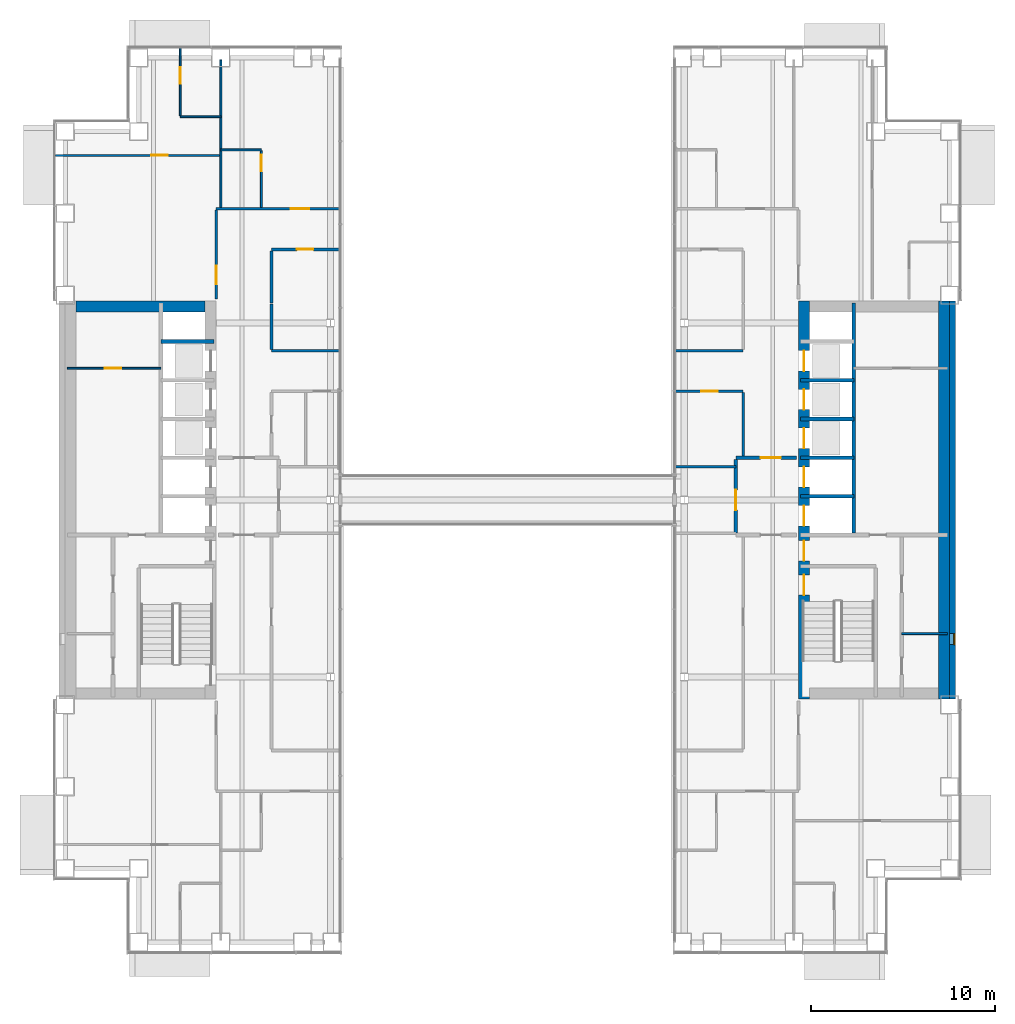
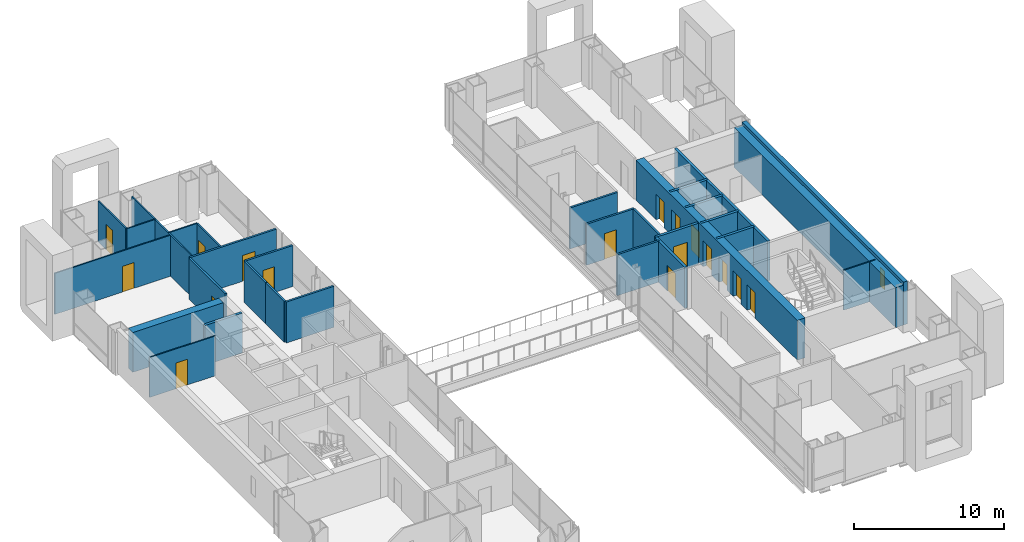
# One storey, part 16 of 21: 30 walls, 17 doors, 1 window, 18 openings.
"""IFC4 building model written with IfcOpenShell, lengths in metres."""

from ifc_helpers import new_model, si_unit, direction, frame, frame_2d, origin, place, context, subcontext, project, spatial, rectangle, extrude, material, layer, layer_set, type_object, element, fill, save


model = new_model("IFC4")

# Units and contexts
model_context = context("Model", 3, precision=1e-05, world=origin(), true_north=direction((0.0, 1.0)))
body_context = subcontext(model_context, "Body", "Model", "MODEL_VIEW")
ifc_project = project(units=[si_unit("LENGTHUNIT", "METRE"), si_unit("AREAUNIT", "SQUARE_METRE"), si_unit("VOLUMEUNIT", "CUBIC_METRE"), si_unit("PLANEANGLEUNIT", "RADIAN"), si_unit("MASSUNIT", "GRAM", prefix="KILO")], contexts=[model_context])

# Site, building, storey
site_placement = place(None, origin())
site = spatial("IfcSite", under=ifc_project, at=site_placement, CompositionType="ELEMENT")
building_placement = place(site_placement, origin())
building = spatial("IfcBuilding", under=site, at=building_placement, Name="Cobrizo Arcos Hotel Tower", CompositionType="ELEMENT")
storey_placement = place(building_placement, frame((0.0, 0.0, 74.0)))
storey = spatial("IfcBuildingStorey", under=building, at=storey_placement, Name="L17", CompositionType="ELEMENT", Elevation=74.0)

# Wall
ifc_material_1 = material(Name="Gypsum board partition")
ifc_layer_1 = layer(ifc_material_1, 0.14990234375)
ifc_layer_set_1 = layer_set([ifc_layer_1], Name="Corridor wall EI 60 150")
wall_type_1 = type_object("IfcWallType", Name="Corridor wall EI 60 150", PredefinedType="PARTITIONING", material=ifc_layer_set_1)
wall_1_placement = place(storey_placement, frame((9.1201171875, 1.800048828125, 0.0), z_axis=(0.0, 0.0, 1.0), x_axis=(1.0, 0.0, 0.0)))
element("IfcWall", 1, at=wall_1_placement, inside=storey, type_object=wall_type_1, Name="Partition 024", PredefinedType="PARTITIONING", context=body_context, shape_type="SweptSolid", body=[
    extrude(rectangle(XDim=3.27978515625, YDim=0.14990234375, at=frame_2d((1.639892578125, 0.0))), origin(), (0.0, 0.0, 1.0), 3.35009765625),
])

# Wall, opening, door
wall_2_placement = place(storey_placement, frame((9.1201171875, 5.89990234375, 0.0), z_axis=(0.0, 0.0, 1.0), x_axis=(1.0, 0.0, 0.0)))
wall_2 = element("IfcWall", 2, at=wall_2_placement, inside=storey, type_object=wall_type_1, Name="Partition 032", PredefinedType="PARTITIONING", context=body_context, shape_type="SweptSolid", body=[
    extrude(rectangle(XDim=3.679931640625, YDim=0.14990234375, at=frame_2d((1.83984375, 0.0))), origin(), (0.0, 0.0, 1.0), 3.35009765625),
])
opening_1_placement = place(wall_2_placement, frame((1.405029296875, 0.0, 0.0)))
opening_1 = element("IfcOpeningElement", 3, at=opening_1_placement, cuts=wall_2, Name="Opening RD-13", PredefinedType="OPENING", context=body_context, shape_type="SweptSolid", body=[
    extrude(rectangle(XDim=0.89990234375, YDim=2.10009765625, at=frame_2d((0.449951171875, 1.050048828125))), frame((0.0, 0.0869140625, 0.0), z_axis=(0.0, -1.0, 0.0), x_axis=(1.0, 0.0, 0.0)), (0.0, 0.0, 1.0), 0.173828125),
])
ifc_material_2 = material(Name="Timber door leaf", Category="wood")
door_type_1 = type_object("IfcDoorType", Name="Room door FD30 900x2100", OperationType="SINGLE_SWING_LEFT", PredefinedType="DOOR", material=ifc_material_2)
door_1_placement = place(opening_1_placement, origin())
door_1 = element("IfcDoor", 4, at=door_1_placement, inside=storey, type_object=door_type_1, Name="Door RD-13", OperationType="SINGLE_SWING_LEFT", OverallHeight=2.10009765625, OverallWidth=0.89990234375, PredefinedType="DOOR", context=body_context, shape_type="SweptSolid", body=[
    extrude(rectangle(XDim=0.89990234375, YDim=2.10009765625, at=frame_2d((0.449951171875, 1.050048828125))), frame((0.0, 0.02490234375, 0.0), z_axis=(0.0, -1.0, 0.0), x_axis=(1.0, 0.0, 0.0)), (0.0, 0.0, 1.0), 0.050048828125),
])
fill(opening_1, door_1)

# Walls
for number, where, z_axis, x_axis, name in (
    (5, (-12.800048828125, 8.10009765625, 0.0), (0.0, 0.0, 1.0), (1.0, 0.0, 0.0), "Partition 037"),
    (6, (9.1201171875, 8.10009765625, 0.0), (0.0, 0.0, 1.0), (1.0, 0.0, 0.0), "Partition 038"),
):
    element("IfcWall", number, at=place(storey_placement, frame(where, z_axis=z_axis, x_axis=x_axis)), inside=storey, type_object=wall_type_1, Name=name, PredefinedType="PARTITIONING", context=body_context, shape_type="SweptSolid", body=[
        extrude(rectangle(XDim=3.679931640625, YDim=0.14990234375, at=frame_2d((1.83984375, 0.0))), origin(), (0.0, 0.0, 1.0), 3.35009765625),
    ])

# Wall, opening, door
wall_3_placement = place(storey_placement, frame((-12.800048828125, 13.60009765625, 0.0), z_axis=(0.0, 0.0, 1.0), x_axis=(1.0, 0.0, 0.0)))
wall_3 = element("IfcWall", 7, at=wall_3_placement, inside=storey, type_object=wall_type_1, Name="Partition 041", PredefinedType="PARTITIONING", context=body_context, shape_type="SweptSolid", body=[
    extrude(rectangle(XDim=3.679931640625, YDim=0.14990234375, at=frame_2d((1.83984375, 0.0))), origin(), (0.0, 0.0, 1.0), 3.35009765625),
])
opening_2_placement = place(wall_3_placement, frame((1.375, 0.0, 0.0)))
opening_2 = element("IfcOpeningElement", 8, at=opening_2_placement, cuts=wall_3, Name="Opening RD-15", PredefinedType="OPENING", context=body_context, shape_type="SweptSolid", body=[
    extrude(rectangle(XDim=0.89990234375, YDim=2.10009765625, at=frame_2d((0.449951171875, 1.050048828125))), frame((0.0, 0.0869140625, 0.0), z_axis=(0.0, -1.0, 0.0), x_axis=(1.0, 0.0, 0.0)), (0.0, 0.0, 1.0), 0.173828125),
])
door_2_placement = place(opening_2_placement, origin())
door_2 = element("IfcDoor", 9, at=door_2_placement, inside=storey, type_object=door_type_1, Name="Door RD-15", OperationType="SINGLE_SWING_RIGHT", OverallHeight=2.10009765625, OverallWidth=0.89990234375, PredefinedType="DOOR", context=body_context, shape_type="SweptSolid", body=[
    extrude(rectangle(XDim=0.89990234375, YDim=2.10009765625, at=frame_2d((0.449951171875, 1.050048828125))), frame((0.0, 0.02490234375, 0.0), z_axis=(0.0, -1.0, 0.0), x_axis=(1.0, 0.0, 0.0)), (0.0, 0.0, 1.0), 0.050048828125),
])
fill(opening_2, door_2)

wall_4_placement = place(storey_placement, frame((-15.800048828125, 15.800048828125, 0.0), z_axis=(0.0, 0.0, 1.0), x_axis=(1.0, 0.0, 0.0)))
wall_4 = element("IfcWall", 10, at=wall_4_placement, inside=storey, type_object=wall_type_1, Name="Partition 044", PredefinedType="PARTITIONING", context=body_context, shape_type="SweptSolid", body=[
    extrude(rectangle(XDim=6.679931640625, YDim=0.14990234375, at=frame_2d((3.33984375, 0.0))), origin(), (0.0, 0.0, 1.0), 3.35009765625),
])
opening_3_placement = place(wall_4_placement, frame((4.047119140625, 0.0, 0.0)))
opening_3 = element("IfcOpeningElement", 11, at=opening_3_placement, cuts=wall_4, Name="Opening GD-02", PredefinedType="OPENING", context=body_context, shape_type="SweptSolid", body=[
    extrude(rectangle(XDim=1.0, YDim=2.10009765625, at=frame_2d((0.5, 1.050048828125))), frame((0.0, 0.0869140625, 0.0), z_axis=(0.0, -1.0, 0.0), x_axis=(1.0, 0.0, 0.0)), (0.0, 0.0, 1.0), 0.173828125),
])
door_type_2 = type_object("IfcDoorType", Name="Guest room door FD30S 1000x2100", OperationType="SINGLE_SWING_LEFT", PredefinedType="DOOR", material=ifc_material_2)
door_3_placement = place(opening_3_placement, origin())
door_3 = element("IfcDoor", 12, at=door_3_placement, inside=storey, type_object=door_type_2, Name="Door GD-02", OperationType="SINGLE_SWING_LEFT", OverallHeight=2.10009765625, OverallWidth=1.0, PredefinedType="DOOR", context=body_context, shape_type="SweptSolid", body=[
    extrude(rectangle(XDim=1.0, YDim=2.10009765625, at=frame_2d((0.5, 1.050048828125))), frame((0.0, 0.02490234375, 0.0), z_axis=(0.0, -1.0, 0.0), x_axis=(1.0, 0.0, 0.0)), (0.0, 0.0, 1.0), 0.050048828125),
])
fill(opening_3, door_3)

wall_5_placement = place(storey_placement, frame((-15.800048828125, 10.919921875, 0.0), z_axis=(0.0, 0.0, 1.0), x_axis=(0.0, 1.0, 0.0)))
wall_5 = element("IfcWall", 13, at=wall_5_placement, inside=storey, type_object=wall_type_1, Name="Partition 056", PredefinedType="PARTITIONING", context=body_context, shape_type="SweptSolid", body=[
    extrude(rectangle(XDim=4.80517578125, YDim=0.14990234375, at=frame_2d((2.402587890625, 0.0))), origin(), (0.0, 0.0, 1.0), 3.35009765625),
])
opening_4_placement = place(wall_5_placement, frame((0.780029296875, 0.0, 0.0)))
opening_4 = element("IfcOpeningElement", 14, at=opening_4_placement, cuts=wall_5, Name="Opening GD-06", PredefinedType="OPENING", context=body_context, shape_type="SweptSolid", body=[
    extrude(rectangle(XDim=1.0, YDim=2.10009765625, at=frame_2d((0.5, 1.050048828125))), frame((0.0, 0.0869140625, 0.0), z_axis=(0.0, -1.0, 0.0), x_axis=(1.0, 0.0, 0.0)), (0.0, 0.0, 1.0), 0.173828125),
])
door_4_placement = place(opening_4_placement, origin())
door_4 = element("IfcDoor", 15, at=door_4_placement, inside=storey, type_object=door_type_2, Name="Door GD-06", OperationType="SINGLE_SWING_LEFT", OverallHeight=2.10009765625, OverallWidth=1.0, PredefinedType="DOOR", context=body_context, shape_type="SweptSolid", body=[
    extrude(rectangle(XDim=1.0, YDim=2.10009765625, at=frame_2d((0.5, 1.050048828125))), frame((0.0, 0.02490234375, 0.0), z_axis=(0.0, -1.0, 0.0), x_axis=(1.0, 0.0, 0.0)), (0.0, 0.0, 1.0), 0.050048828125),
])
fill(opening_4, door_4)

# Walls
wall_6_placement = place(storey_placement, frame((-12.800048828125, 8.175048828125, 0.0), z_axis=(0.0, 0.0, 1.0), x_axis=(0.0, 1.0, 0.0)))
element("IfcWall", 16, at=wall_6_placement, inside=storey, type_object=wall_type_1, Name="Partition 063", PredefinedType="PARTITIONING", context=body_context, shape_type="SweptSolid", body=[
    extrude(rectangle(XDim=2.474853515625, YDim=0.14990234375, at=frame_2d((1.2373046875, 0.0))), origin(), (0.0, 0.0, 1.0), 3.35009765625),
])
wall_7_placement = place(storey_placement, frame((-12.800048828125, 10.699951171875, 0.0), z_axis=(0.0, 0.0, 1.0), x_axis=(0.0, 1.0, 0.0)))
element("IfcWall", 17, at=wall_7_placement, inside=storey, type_object=wall_type_1, Name="Partition 064", PredefinedType="PARTITIONING", context=body_context, shape_type="SweptSolid", body=[
    extrude(rectangle(XDim=2.824951171875, YDim=0.14990234375, at=frame_2d((1.41259765625, 0.0))), origin(), (0.0, 0.0, 1.0), 3.35009765625),
])
wall_8_placement = place(storey_placement, frame((12.800048828125, 2.39990234375, 0.0), z_axis=(0.0, 0.0, 1.0), x_axis=(0.0, 1.0, 0.0)))
element("IfcWall", 18, at=wall_8_placement, inside=storey, type_object=wall_type_1, Name="Partition 074", PredefinedType="PARTITIONING", context=body_context, shape_type="SweptSolid", body=[
    extrude(rectangle(XDim=3.425048828125, YDim=0.14990234375, at=frame_2d((1.71240234375, 0.0))), origin(), (0.0, 0.0, 1.0), 3.35009765625),
])

# Wall, opening, window
ifc_material_3 = material(Name="Aluminium composite panel pale metal", Category="aluminium")
ifc_layer_2 = layer(ifc_material_3, 0.324951171875)
ifc_layer_set_2 = layer_set([ifc_layer_2], Name="EW-1 insulated panel wall 325")
wall_type_2 = type_object("IfcWallType", Name="EW-1 insulated panel wall 325", PredefinedType="SOLIDWALL", material=ifc_layer_set_2)
wall_9_placement = place(storey_placement, frame((24.16259765625, -10.800048828125, 0.0), z_axis=(0.0, 0.0, 1.0), x_axis=(0.0, 1.0, 0.0)))
wall_9 = element("IfcWall", 19, at=wall_9_placement, inside=storey, type_object=wall_type_2, Name="Core face wall L17 E", PredefinedType="SOLIDWALL", context=body_context, shape_type="SweptSolid", body=[
    extrude(rectangle(XDim=21.60009765625, YDim=0.324951171875, at=frame_2d((10.800048828125, 0.0))), origin(), (0.0, 0.0, 1.0), 3.5),
])
opening_5_placement = place(wall_9_placement, frame((2.949951171875, 0.0, 1.0)))
opening_5 = element("IfcOpeningElement", 20, at=opening_5_placement, cuts=wall_9, Name="Opening W-29", PredefinedType="OPENING", context=body_context, shape_type="SweptSolid", body=[
    extrude(rectangle(XDim=0.60009765625, YDim=1.5, at=frame_2d((0.300048828125, 0.75))), frame((0.0, 0.174560546875, 0.0), z_axis=(0.0, -1.0, 0.0), x_axis=(1.0, 0.0, 0.0)), (0.0, 0.0, 1.0), 0.348876953125),
])
ifc_material_4 = material(Name="Aluminium 6063-T6 and clear laminated glass", Category="aluminium")
window_type = type_object("IfcWindowType", Name="W-C1 core stair slot window 600x1500", PartitioningType="SINGLE_PANEL", PredefinedType="WINDOW", material=ifc_material_4)
window_placement = place(opening_5_placement, origin())
window = element("IfcWindow", 21, at=window_placement, inside=storey, type_object=window_type, Name="Core face wall L17 E window W-29", OverallHeight=1.5, OverallWidth=0.60009765625, PartitioningType="SINGLE_PANEL", PredefinedType="WINDOW", context=body_context, shape_type="SweptSolid", body=[
    extrude(rectangle(XDim=0.60009765625, YDim=1.5, at=frame_2d((0.300048828125, 0.75))), frame((0.0, -0.072509765625, 0.0), z_axis=(0.0, -1.0, 0.0), x_axis=(1.0, 0.0, 0.0)), (0.0, 0.0, 1.0), 0.06005859375),
])
fill(opening_5, window)

# Wall
ifc_layer_3 = layer(ifc_material_1, 0.10009765625)
ifc_layer_set_3 = layer_set([ifc_layer_3], Name="Partition EI 30 100")
wall_type_3 = type_object("IfcWallType", Name="Partition EI 30 100", PredefinedType="PARTITIONING", material=ifc_layer_set_3)
wall_10_placement = place(storey_placement, frame((21.39990234375, -7.25, 0.0), z_axis=(0.0, 0.0, 1.0), x_axis=(1.0, 0.0, 0.0)))
element("IfcWall", 22, at=wall_10_placement, inside=storey, type_object=wall_type_3, Name="Partition 012", PredefinedType="PARTITIONING", context=body_context, shape_type="SweptSolid", body=[
    extrude(rectangle(XDim=2.47998046875, YDim=0.10009765625, at=frame_2d((1.239990234375, 0.0))), origin(), (0.0, 0.0, 1.0), 3.25),
])

# Wall, opening, door
wall_11_placement = place(storey_placement, frame((-23.8798828125, 7.14990234375, 0.0), z_axis=(0.0, 0.0, 1.0), x_axis=(1.0, 0.0, 0.0)))
wall_11 = element("IfcWall", 23, at=wall_11_placement, inside=storey, type_object=wall_type_3, Name="Partition 035", PredefinedType="PARTITIONING", context=body_context, shape_type="SweptSolid", body=[
    extrude(rectangle(XDim=5.079833984375, YDim=0.10009765625, at=frame_2d((2.5400390625, 0.0))), origin(), (0.0, 0.0, 1.0), 3.25),
])
opening_6_placement = place(wall_11_placement, frame((2.030029296875, 0.0, 0.0)))
opening_6 = element("IfcOpeningElement", 24, at=opening_6_placement, cuts=wall_11, Name="Opening RD-04", PredefinedType="OPENING", context=body_context, shape_type="SweptSolid", body=[
    extrude(rectangle(XDim=0.89990234375, YDim=2.10009765625, at=frame_2d((0.449951171875, 1.050048828125))), frame((0.0, 0.06201171875, 0.0), z_axis=(0.0, -1.0, 0.0), x_axis=(1.0, 0.0, 0.0)), (0.0, 0.0, 1.0), 0.1240234375),
])
door_5_placement = place(opening_6_placement, origin())
door_5 = element("IfcDoor", 25, at=door_5_placement, inside=storey, type_object=door_type_1, Name="Door RD-04", OperationType="SINGLE_SWING_RIGHT", OverallHeight=2.10009765625, OverallWidth=0.89990234375, PredefinedType="DOOR", context=body_context, shape_type="SweptSolid", body=[
    extrude(rectangle(XDim=0.89990234375, YDim=2.10009765625, at=frame_2d((0.449951171875, 1.050048828125))), frame((0.0, 0.02490234375, 0.0), z_axis=(0.0, -1.0, 0.0), x_axis=(1.0, 0.0, 0.0)), (0.0, 0.0, 1.0), 0.050048828125),
])
fill(opening_6, door_5)

wall_12_placement = place(storey_placement, frame((-24.530029296875, 18.699951171875, 0.0), z_axis=(0.0, 0.0, 1.0), x_axis=(1.0, 0.0, 0.0)))
wall_12 = element("IfcWall", 26, at=wall_12_placement, inside=storey, type_object=wall_type_3, Name="Partition 046", PredefinedType="PARTITIONING", context=body_context, shape_type="SweptSolid", body=[
    extrude(rectangle(XDim=8.97998046875, YDim=0.10009765625, at=frame_2d((4.489990234375, 0.0))), origin(), (0.0, 0.0, 1.0), 3.35009765625),
])
opening_7_placement = place(wall_12_placement, frame((5.201904296875, 0.0, 0.0)))
opening_7 = element("IfcOpeningElement", 27, at=opening_7_placement, cuts=wall_12, Name="Opening RD-10", PredefinedType="OPENING", context=body_context, shape_type="SweptSolid", body=[
    extrude(rectangle(XDim=0.89990234375, YDim=2.10009765625, at=frame_2d((0.449951171875, 1.050048828125))), frame((0.0, 0.06201171875, 0.0), z_axis=(0.0, -1.0, 0.0), x_axis=(1.0, 0.0, 0.0)), (0.0, 0.0, 1.0), 0.1240234375),
])
door_6_placement = place(opening_7_placement, origin())
door_6 = element("IfcDoor", 28, at=door_6_placement, inside=storey, type_object=door_type_1, Name="Door RD-10", OperationType="SINGLE_SWING_LEFT", OverallHeight=2.10009765625, OverallWidth=0.89990234375, PredefinedType="DOOR", context=body_context, shape_type="SweptSolid", body=[
    extrude(rectangle(XDim=0.89990234375, YDim=2.10009765625, at=frame_2d((0.449951171875, 1.050048828125))), frame((0.0, 0.02490234375, 0.0), z_axis=(0.0, -1.0, 0.0), x_axis=(1.0, 0.0, 0.0)), (0.0, 0.0, 1.0), 0.050048828125),
])
fill(opening_7, door_6)

# Walls
for number, where, z_axis, x_axis, name in (
    (29, (-15.550048828125, 19.0, 0.0), (0.0, 0.0, 1.0), (1.0, 0.0, 0.0), "Partition 047"),
    (30, (-17.75, 20.800048828125, 0.0), (0.0, 0.0, 1.0), (1.0, 0.0, 0.0), "Partition 049"),
):
    element("IfcWall", number, at=place(storey_placement, frame(where, z_axis=z_axis, x_axis=x_axis)), inside=storey, type_object=wall_type_3, Name=name, PredefinedType="PARTITIONING", context=body_context, shape_type="SweptSolid", body=[
        extrude(rectangle(XDim=2.199951171875, YDim=0.10009765625, at=frame_2d((1.10009765625, 0.0))), origin(), (0.0, 0.0, 1.0), 3.35009765625),
    ])

# Wall, opening, door
wall_13_placement = place(storey_placement, frame((-17.75, 20.85009765625, 0.0), z_axis=(0.0, 0.0, 1.0), x_axis=(0.0, 1.0, 0.0)))
wall_13 = element("IfcWall", 31, at=wall_13_placement, inside=storey, type_object=wall_type_3, Name="Partition 054", PredefinedType="PARTITIONING", context=body_context, shape_type="SweptSolid", body=[
    extrude(rectangle(XDim=3.679931640625, YDim=0.10009765625, at=frame_2d((1.83984375, 0.0))), origin(), (0.0, 0.0, 1.0), 3.35009765625),
])
opening_8_placement = place(wall_13_placement, frame((1.739990234375, 0.0, 0.0)))
opening_8 = element("IfcOpeningElement", 32, at=opening_8_placement, cuts=wall_13, Name="Opening ED-06", PredefinedType="OPENING", context=body_context, shape_type="SweptSolid", body=[
    extrude(rectangle(XDim=0.89990234375, YDim=2.10009765625, at=frame_2d((0.449951171875, 1.050048828125))), frame((0.0, 0.06201171875, 0.0), z_axis=(0.0, -1.0, 0.0), x_axis=(1.0, 0.0, 0.0)), (0.0, 0.0, 1.0), 0.1240234375),
])
door_type_3 = type_object("IfcDoorType", Name="En-suite door 900x2100", OperationType="SINGLE_SWING_LEFT", PredefinedType="DOOR", material=ifc_material_2)
door_7_placement = place(opening_8_placement, origin())
door_7 = element("IfcDoor", 33, at=door_7_placement, inside=storey, type_object=door_type_3, Name="Door ED-06", OperationType="SINGLE_SWING_RIGHT", OverallHeight=2.10009765625, OverallWidth=0.89990234375, PredefinedType="DOOR", context=body_context, shape_type="SweptSolid", body=[
    extrude(rectangle(XDim=0.89990234375, YDim=2.10009765625, at=frame_2d((0.449951171875, 1.050048828125))), frame((0.0, 0.02490234375, 0.0), z_axis=(0.0, -1.0, 0.0), x_axis=(1.0, 0.0, 0.0)), (0.0, 0.0, 1.0), 0.050048828125),
])
fill(opening_8, door_7)

# Wall
wall_14_placement = place(storey_placement, frame((-15.550048828125, 15.875, 0.0), z_axis=(0.0, 0.0, 1.0), x_axis=(0.0, 1.0, 0.0)))
element("IfcWall", 34, at=wall_14_placement, inside=storey, type_object=wall_type_3, Name="Partition 058", PredefinedType="PARTITIONING", context=body_context, shape_type="SweptSolid", body=[
    extrude(rectangle(XDim=8.0048828125, YDim=0.10009765625, at=frame_2d((4.00244140625, 0.0))), origin(), (0.0, 0.0, 1.0), 3.35009765625),
])

# Wall, opening, door
wall_15_placement = place(storey_placement, frame((-13.35009765625, 15.875, 0.0), z_axis=(0.0, 0.0, 1.0), x_axis=(0.0, 1.0, 0.0)))
wall_15 = element("IfcWall", 35, at=wall_15_placement, inside=storey, type_object=wall_type_3, Name="Partition 060", PredefinedType="PARTITIONING", context=body_context, shape_type="SweptSolid", body=[
    extrude(rectangle(XDim=3.074951171875, YDim=0.10009765625, at=frame_2d((1.53759765625, 0.0))), origin(), (0.0, 0.0, 1.0), 3.35009765625),
])
opening_9_placement = place(wall_15_placement, frame((1.970947265625, 0.0, 0.0)))
opening_9 = element("IfcOpeningElement", 36, at=opening_9_placement, cuts=wall_15, Name="Opening ED-02", PredefinedType="OPENING", context=body_context, shape_type="SweptSolid", body=[
    extrude(rectangle(XDim=0.89990234375, YDim=2.10009765625, at=frame_2d((0.449951171875, 1.050048828125))), frame((0.0, 0.06201171875, 0.0), z_axis=(0.0, -1.0, 0.0), x_axis=(1.0, 0.0, 0.0)), (0.0, 0.0, 1.0), 0.1240234375),
])
door_8_placement = place(opening_9_placement, origin())
door_8 = element("IfcDoor", 37, at=door_8_placement, inside=storey, type_object=door_type_3, Name="Door ED-02", OperationType="SINGLE_SWING_RIGHT", OverallHeight=2.10009765625, OverallWidth=0.89990234375, PredefinedType="DOOR", context=body_context, shape_type="SweptSolid", body=[
    extrude(rectangle(XDim=0.89990234375, YDim=2.10009765625, at=frame_2d((0.449951171875, 1.050048828125))), frame((0.0, 0.02490234375, 0.0), z_axis=(0.0, -1.0, 0.0), x_axis=(1.0, 0.0, 0.0)), (0.0, 0.0, 1.0), 0.050048828125),
])
fill(opening_9, door_8)

# Wall, openings, doors
ifc_material_5 = material(Name="Concrete f'c 60 MPa", Category="concrete")
ifc_layer_4 = layer(ifc_material_5, 0.60009765625)
ifc_layer_set_4 = layer_set([ifc_layer_4], Name="RC core wall 600 f'c 60")
wall_type_4 = type_object("IfcWallType", Name="RC core wall 600 f'c 60", PredefinedType="SHEAR", material=ifc_layer_set_4)
wall_16_placement = place(storey_placement, frame((16.10009765625, -10.800048828125, 0.0), z_axis=(0.0, 0.0, 1.0), x_axis=(0.0, 1.0, 0.0)))
wall_16 = element("IfcWall", 38, at=wall_16_placement, inside=storey, type_object=wall_type_4, Name="Core wall CW1, east core, inner face, L17", PredefinedType="SHEAR", context=body_context, shape_type="SweptSolid", body=[
    extrude(rectangle(XDim=21.60009765625, YDim=0.60009765625, at=frame_2d((10.800048828125, 0.0))), origin(), (0.0, 0.0, 1.0), 3.25),
])
opening_10_placement = place(wall_16_placement, frame((9.39990234375, 0.0, 0.0)))
opening_10 = element("IfcOpeningElement", 39, at=opening_10_placement, cuts=wall_16, Name="Opening LD-06", PredefinedType="OPENING", context=body_context, shape_type="SweptSolid", body=[
    extrude(rectangle(XDim=1.10009765625, YDim=2.10009765625, at=frame_2d((0.550048828125, 1.050048828125))), frame((0.0, 0.31201171875, 0.0), z_axis=(0.0, -1.0, 0.0), x_axis=(1.0, 0.0, 0.0)), (0.0, 0.0, 1.0), 0.6240234375),
])
opening_11_placement = place(wall_16_placement, frame((11.5, 0.0, 0.0)))
opening_11 = element("IfcOpeningElement", 40, at=opening_11_placement, cuts=wall_16, Name="Opening LD-07", PredefinedType="OPENING", context=body_context, shape_type="SweptSolid", body=[
    extrude(rectangle(XDim=1.10009765625, YDim=2.10009765625, at=frame_2d((0.550048828125, 1.050048828125))), frame((0.0, 0.31201171875, 0.0), z_axis=(0.0, -1.0, 0.0), x_axis=(1.0, 0.0, 0.0)), (0.0, 0.0, 1.0), 0.6240234375),
])
opening_12_placement = place(wall_16_placement, frame((13.60009765625, 0.0, 0.0)))
opening_12 = element("IfcOpeningElement", 41, at=opening_12_placement, cuts=wall_16, Name="Opening LD-08", PredefinedType="OPENING", context=body_context, shape_type="SweptSolid", body=[
    extrude(rectangle(XDim=1.10009765625, YDim=2.10009765625, at=frame_2d((0.550048828125, 1.050048828125))), frame((0.0, 0.31201171875, 0.0), z_axis=(0.0, -1.0, 0.0), x_axis=(1.0, 0.0, 0.0)), (0.0, 0.0, 1.0), 0.6240234375),
])
opening_13_placement = place(wall_16_placement, frame((15.699951171875, 0.0, 0.0)))
opening_13 = element("IfcOpeningElement", 42, at=opening_13_placement, cuts=wall_16, Name="Opening LD-09", PredefinedType="OPENING", context=body_context, shape_type="SweptSolid", body=[
    extrude(rectangle(XDim=1.10009765625, YDim=2.10009765625, at=frame_2d((0.550048828125, 1.050048828125))), frame((0.0, 0.31201171875, 0.0), z_axis=(0.0, -1.0, 0.0), x_axis=(1.0, 0.0, 0.0)), (0.0, 0.0, 1.0), 0.6240234375),
])
opening_14_placement = place(wall_16_placement, frame((17.800048828125, 0.0, 0.0)))
opening_14 = element("IfcOpeningElement", 43, at=opening_14_placement, cuts=wall_16, Name="Opening LD-10", PredefinedType="OPENING", context=body_context, shape_type="SweptSolid", body=[
    extrude(rectangle(XDim=1.10009765625, YDim=2.10009765625, at=frame_2d((0.550048828125, 1.050048828125))), frame((0.0, 0.31201171875, 0.0), z_axis=(0.0, -1.0, 0.0), x_axis=(1.0, 0.0, 0.0)), (0.0, 0.0, 1.0), 0.6240234375),
])
opening_15_placement = place(wall_16_placement, frame((5.64208984375, 0.0, 0.0)))
opening_15 = element("IfcOpeningElement", 44, at=opening_15_placement, cuts=wall_16, Name="Opening SD-02", PredefinedType="OPENING", context=body_context, shape_type="SweptSolid", body=[
    extrude(rectangle(XDim=1.10009765625, YDim=2.10009765625, at=frame_2d((0.550048828125, 1.050048828125))), frame((0.0, 0.31201171875, 0.0), z_axis=(0.0, -1.0, 0.0), x_axis=(1.0, 0.0, 0.0)), (0.0, 0.0, 1.0), 0.6240234375),
])
opening_16_placement = place(wall_16_placement, frame((7.5, 0.0, 0.0)))
opening_16 = element("IfcOpeningElement", 45, at=opening_16_placement, cuts=wall_16, Name="Opening FD-05", PredefinedType="OPENING", context=body_context, shape_type="SweptSolid", body=[
    extrude(rectangle(XDim=1.10009765625, YDim=2.10009765625, at=frame_2d((0.550048828125, 1.050048828125))), frame((0.0, 0.31201171875, 0.0), z_axis=(0.0, -1.0, 0.0), x_axis=(1.0, 0.0, 0.0)), (0.0, 0.0, 1.0), 0.6240234375),
])
ifc_material_6 = material(Name="Steel door leaf", Category="steel")
door_type_4 = type_object("IfcDoorType", Name="Fire door FD60 1100x2100", OperationType="SINGLE_SWING_LEFT", PredefinedType="DOOR", material=ifc_material_6)
door_9_placement = place(opening_16_placement, origin())
door_9 = element("IfcDoor", 46, at=door_9_placement, inside=storey, type_object=door_type_4, Name="Door FD-05", OperationType="SINGLE_SWING_LEFT", OverallHeight=2.10009765625, OverallWidth=1.10009765625, PredefinedType="DOOR", context=body_context, shape_type="SweptSolid", body=[
    extrude(rectangle(XDim=1.10009765625, YDim=2.10009765625, at=frame_2d((0.550048828125, 1.050048828125))), frame((0.0, 0.02490234375, 0.0), z_axis=(0.0, -1.0, 0.0), x_axis=(1.0, 0.0, 0.0)), (0.0, 0.0, 1.0), 0.050048828125),
])
fill(opening_16, door_9)
door_type_5 = type_object("IfcDoorType", Name="Lift landing door 1100x2100", OperationType="SLIDING_TO_LEFT", PredefinedType="DOOR", material=ifc_material_6)
door_10_placement = place(opening_10_placement, origin())
door_10 = element("IfcDoor", 47, at=door_10_placement, inside=storey, type_object=door_type_5, Name="Lift landing door LD-06", OperationType="SLIDING_TO_LEFT", OverallHeight=2.10009765625, OverallWidth=1.10009765625, PredefinedType="DOOR", context=body_context, shape_type="SweptSolid", body=[
    extrude(rectangle(XDim=1.10009765625, YDim=2.10009765625, at=frame_2d((0.550048828125, 1.050048828125))), frame((0.0, 0.02490234375, 0.0), z_axis=(0.0, -1.0, 0.0), x_axis=(1.0, 0.0, 0.0)), (0.0, 0.0, 1.0), 0.050048828125),
])
fill(opening_10, door_10)
door_11_placement = place(opening_11_placement, origin())
door_11 = element("IfcDoor", 48, at=door_11_placement, inside=storey, type_object=door_type_5, Name="Lift landing door LD-07", OperationType="SLIDING_TO_LEFT", OverallHeight=2.10009765625, OverallWidth=1.10009765625, PredefinedType="DOOR", context=body_context, shape_type="SweptSolid", body=[
    extrude(rectangle(XDim=1.10009765625, YDim=2.10009765625, at=frame_2d((0.550048828125, 1.050048828125))), frame((0.0, 0.02490234375, 0.0), z_axis=(0.0, -1.0, 0.0), x_axis=(1.0, 0.0, 0.0)), (0.0, 0.0, 1.0), 0.050048828125),
])
fill(opening_11, door_11)
door_12_placement = place(opening_12_placement, origin())
door_12 = element("IfcDoor", 49, at=door_12_placement, inside=storey, type_object=door_type_5, Name="Lift landing door LD-08", OperationType="SLIDING_TO_LEFT", OverallHeight=2.10009765625, OverallWidth=1.10009765625, PredefinedType="DOOR", context=body_context, shape_type="SweptSolid", body=[
    extrude(rectangle(XDim=1.10009765625, YDim=2.10009765625, at=frame_2d((0.550048828125, 1.050048828125))), frame((0.0, 0.02490234375, 0.0), z_axis=(0.0, -1.0, 0.0), x_axis=(1.0, 0.0, 0.0)), (0.0, 0.0, 1.0), 0.050048828125),
])
fill(opening_12, door_12)
door_13_placement = place(opening_13_placement, origin())
door_13 = element("IfcDoor", 50, at=door_13_placement, inside=storey, type_object=door_type_5, Name="Lift landing door LD-09", OperationType="SLIDING_TO_LEFT", OverallHeight=2.10009765625, OverallWidth=1.10009765625, PredefinedType="DOOR", context=body_context, shape_type="SweptSolid", body=[
    extrude(rectangle(XDim=1.10009765625, YDim=2.10009765625, at=frame_2d((0.550048828125, 1.050048828125))), frame((0.0, 0.02490234375, 0.0), z_axis=(0.0, -1.0, 0.0), x_axis=(1.0, 0.0, 0.0)), (0.0, 0.0, 1.0), 0.050048828125),
])
fill(opening_13, door_13)
door_14_placement = place(opening_14_placement, origin())
door_14 = element("IfcDoor", 51, at=door_14_placement, inside=storey, type_object=door_type_5, Name="Lift landing door LD-10", OperationType="SLIDING_TO_LEFT", OverallHeight=2.10009765625, OverallWidth=1.10009765625, PredefinedType="DOOR", context=body_context, shape_type="SweptSolid", body=[
    extrude(rectangle(XDim=1.10009765625, YDim=2.10009765625, at=frame_2d((0.550048828125, 1.050048828125))), frame((0.0, 0.02490234375, 0.0), z_axis=(0.0, -1.0, 0.0), x_axis=(1.0, 0.0, 0.0)), (0.0, 0.0, 1.0), 0.050048828125),
])
fill(opening_14, door_14)
door_type_6 = type_object("IfcDoorType", Name="Stair door FD60S 1100x2100", OperationType="SINGLE_SWING_LEFT", PredefinedType="DOOR", material=ifc_material_6)
door_15_placement = place(opening_15_placement, origin())
door_15 = element("IfcDoor", 52, at=door_15_placement, inside=storey, type_object=door_type_6, Name="Door SD-02", OperationType="SINGLE_SWING_RIGHT", OverallHeight=2.10009765625, OverallWidth=1.10009765625, PredefinedType="DOOR", context=body_context, shape_type="SweptSolid", body=[
    extrude(rectangle(XDim=1.10009765625, YDim=2.10009765625, at=frame_2d((0.550048828125, 1.050048828125))), frame((0.0, 0.02490234375, 0.0), z_axis=(0.0, -1.0, 0.0), x_axis=(1.0, 0.0, 0.0)), (0.0, 0.0, 1.0), 0.050048828125),
])
fill(opening_15, door_15)

# Walls
wall_17_placement = place(storey_placement, frame((23.699951171875, -10.800048828125, 0.0), z_axis=(0.0, 0.0, 1.0), x_axis=(0.0, 1.0, 0.0)))
element("IfcWall", 53, at=wall_17_placement, inside=storey, type_object=wall_type_4, Name="Core wall CW1, east core, outer face, L17", PredefinedType="SHEAR", context=body_context, shape_type="SweptSolid", body=[
    extrude(rectangle(XDim=21.60009765625, YDim=0.60009765625, at=frame_2d((10.800048828125, 0.0))), origin(), (0.0, 0.0, 1.0), 3.25),
])
wall_18_placement = place(storey_placement, frame((-23.39990234375, 10.5, 0.0), z_axis=(0.0, 0.0, 1.0), x_axis=(1.0, 0.0, 0.0)))
element("IfcWall", 54, at=wall_18_placement, inside=storey, type_object=wall_type_4, Name="Core wall CW1, west core, north end, L17", PredefinedType="SHEAR", context=body_context, shape_type="SweptSolid", body=[
    extrude(rectangle(XDim=7.0, YDim=0.60009765625, at=frame_2d((3.5, 0.0))), origin(), (0.0, 0.0, 1.0), 3.25),
])
ifc_layer_5 = layer(ifc_material_1, 0.199951171875)
ifc_layer_set_5 = layer_set([ifc_layer_5], Name="Shaft wall EI 120 200")
wall_type_5 = type_object("IfcWallType", Name="Shaft wall EI 120 200", PredefinedType="PARTITIONING", material=ifc_layer_set_5)
wall_19_placement = place(storey_placement, frame((15.919921875, 0.199951171875, 0.0), z_axis=(0.0, 0.0, 1.0), x_axis=(1.0, 0.0, 0.0)))
element("IfcWall", 55, at=wall_19_placement, inside=storey, type_object=wall_type_5, Name="Partition 022", PredefinedType="PARTITIONING", context=body_context, shape_type="SweptSolid", body=[
    extrude(rectangle(XDim=2.880126953125, YDim=0.199951171875, at=frame_2d((1.43994140625, 0.0))), origin(), (0.0, 0.0, 1.0), 3.25),
])

# Wall, opening, door
wall_20_placement = place(storey_placement, frame((12.39990234375, 2.300048828125, 0.0), z_axis=(0.0, 0.0, 1.0), x_axis=(1.0, 0.0, 0.0)))
wall_20 = element("IfcWall", 56, at=wall_20_placement, inside=storey, type_object=wall_type_5, Name="Partition 027", PredefinedType="PARTITIONING", context=body_context, shape_type="SweptSolid", body=[
    extrude(rectangle(XDim=3.280029296875, YDim=0.199951171875, at=frame_2d((1.64013671875, 0.0))), origin(), (0.0, 0.0, 1.0), 3.35009765625),
])
opening_17_placement = place(wall_20_placement, frame((1.340087890625, 0.0, 0.0)))
opening_17 = element("IfcOpeningElement", 57, at=opening_17_placement, cuts=wall_20, Name="Opening FD-08", PredefinedType="OPENING", context=body_context, shape_type="SweptSolid", body=[
    extrude(rectangle(XDim=1.10009765625, YDim=2.10009765625, at=frame_2d((0.550048828125, 1.050048828125))), frame((0.0, 0.112060546875, 0.0), z_axis=(0.0, -1.0, 0.0), x_axis=(1.0, 0.0, 0.0)), (0.0, 0.0, 1.0), 0.223876953125),
])
door_16_placement = place(opening_17_placement, origin())
door_16 = element("IfcDoor", 58, at=door_16_placement, inside=storey, type_object=door_type_4, Name="Door FD-08", OperationType="SINGLE_SWING_LEFT", OverallHeight=2.10009765625, OverallWidth=1.10009765625, PredefinedType="DOOR", context=body_context, shape_type="SweptSolid", body=[
    extrude(rectangle(XDim=1.10009765625, YDim=2.10009765625, at=frame_2d((0.550048828125, 1.050048828125))), frame((0.0, 0.02490234375, 0.0), z_axis=(0.0, -1.0, 0.0), x_axis=(1.0, 0.0, 0.0)), (0.0, 0.0, 1.0), 0.050048828125),
])
fill(opening_17, door_16)

# Walls
for number, where, z_axis, x_axis, name in (
    (59, (15.919921875, 2.300048828125, 0.0), (0.0, 0.0, 1.0), (1.0, 0.0, 0.0), "Partition 028"),
    (60, (15.919921875, 4.39990234375, 0.0), (0.0, 0.0, 1.0), (1.0, 0.0, 0.0), "Partition 030"),
    (61, (15.919921875, 6.5, 0.0), (0.0, 0.0, 1.0), (1.0, 0.0, 0.0), "Partition 034"),
    (62, (-18.800048828125, 8.60009765625, 0.0), (0.0, 0.0, 1.0), (1.0, 0.0, 0.0), "Partition 039"),
):
    element("IfcWall", number, at=place(storey_placement, frame(where, z_axis=z_axis, x_axis=x_axis)), inside=storey, type_object=wall_type_5, Name=name, PredefinedType="PARTITIONING", context=body_context, shape_type="SweptSolid", body=[
        extrude(rectangle(XDim=2.880126953125, YDim=0.199951171875, at=frame_2d((1.43994140625, 0.0))), origin(), (0.0, 0.0, 1.0), 3.25),
    ])

# Wall, opening, door
wall_21_placement = place(storey_placement, frame((12.39990234375, -1.800048828125, 0.0), z_axis=(0.0, 0.0, 1.0), x_axis=(0.0, 1.0, 0.0)))
wall_21 = element("IfcWall", 63, at=wall_21_placement, inside=storey, type_object=wall_type_5, Name="Partition 072", PredefinedType="PARTITIONING", context=body_context, shape_type="SweptSolid", body=[
    extrude(rectangle(XDim=4.0, YDim=0.199951171875, at=frame_2d((2.0, 0.0))), origin(), (0.0, 0.0, 1.0), 3.35009765625),
])
opening_18_placement = place(wall_21_placement, frame((1.25, 0.0, 0.0)))
opening_18 = element("IfcOpeningElement", 64, at=opening_18_placement, cuts=wall_21, Name="Opening FD-06", PredefinedType="OPENING", context=body_context, shape_type="SweptSolid", body=[
    extrude(rectangle(XDim=1.10009765625, YDim=2.10009765625, at=frame_2d((0.550048828125, 1.050048828125))), frame((0.0, 0.112060546875, 0.0), z_axis=(0.0, -1.0, 0.0), x_axis=(1.0, 0.0, 0.0)), (0.0, 0.0, 1.0), 0.223876953125),
])
door_17_placement = place(opening_18_placement, origin())
door_17 = element("IfcDoor", 65, at=door_17_placement, inside=storey, type_object=door_type_4, Name="Door FD-06", OperationType="SINGLE_SWING_LEFT", OverallHeight=2.10009765625, OverallWidth=1.10009765625, PredefinedType="DOOR", context=body_context, shape_type="SweptSolid", body=[
    extrude(rectangle(XDim=1.10009765625, YDim=2.10009765625, at=frame_2d((0.550048828125, 1.050048828125))), frame((0.0, 0.02490234375, 0.0), z_axis=(0.0, -1.0, 0.0), x_axis=(1.0, 0.0, 0.0)), (0.0, 0.0, 1.0), 0.050048828125),
])
fill(opening_18, door_17)

# Wall
wall_22_placement = place(storey_placement, frame((18.800048828125, -1.800048828125, 0.0), z_axis=(0.0, 0.0, 1.0), x_axis=(0.0, 1.0, 0.0)))
element("IfcWall", 66, at=wall_22_placement, inside=storey, type_object=wall_type_5, Name="Partition 082", PredefinedType="PARTITIONING", context=body_context, shape_type="SweptSolid", body=[
    extrude(rectangle(XDim=12.47998046875, YDim=0.199951171875, at=frame_2d((6.239990234375, 0.0))), origin(), (0.0, 0.0, 1.0), 3.25),
])

save(model, "model.ifc")
